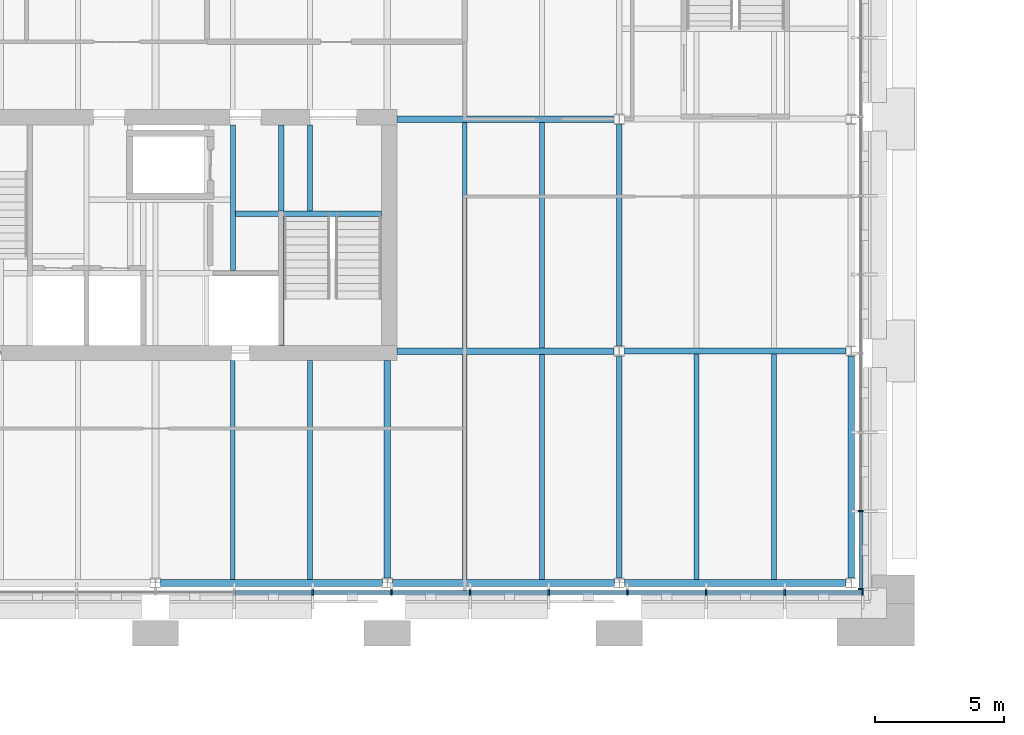
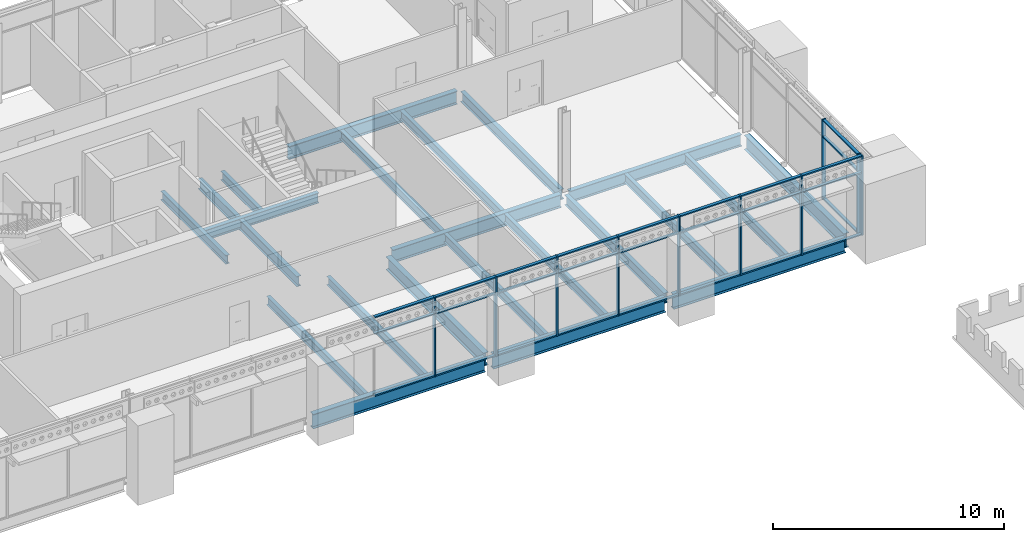
# One storey, part 36 of 153: 37 members, 23 beams, 2 elements without a shape of their own.
"""IFC4 building model written with IfcOpenShell, lengths in metres."""

import ifcopenshell
import ifcopenshell.guid

model = None  # the IFC model being written
_history = None  # IfcOwnerHistory: only IFC2X3 demands one
_inside = {}  # id of a spatial element -> (the spatial element, [elements in it])
_under = {}  # id of a project, library or spatial element -> (it, [spatial elements below it])
_declared = {}  # id of a project -> (the project, [libraries it declares])
_typed = {}  # id of a type object -> (the type object, [elements of that type])
_made_of = {}  # id of a material, layer set ... -> (it, [elements and type objects made of it])


def new_model(schema):
    """Start an empty IFC model of exactly this schema.

    Asked for "IFC4X3", IfcOpenShell would pick the latest addendum, in which some entities
    have other attributes; the version numbers below select the first issue.
    IFC2X3 requires an IfcOwnerHistory on every rooted entity: one is made here for all.
    """
    global model, _history
    if schema == "IFC4X3":
        model = ifcopenshell.file(schema_version=(4, 3, 0, 0))
    else:
        model = ifcopenshell.file(schema=schema)
    _inside.clear()
    _under.clear()
    _declared.clear()
    _typed.clear()
    _made_of.clear()
    _history = None
    if model.schema == "IFC2X3":
        org = make("IfcOrganization", Name="unknown")
        user = make(
            "IfcPersonAndOrganization",
            ThePerson=make("IfcPerson", FamilyName="unknown"),
            TheOrganization=org,
        )
        app = make(
            "IfcApplication",
            ApplicationDeveloper=org,
            Version="unknown",
            ApplicationFullName="unknown",
            ApplicationIdentifier="unknown",
        )
        _history = make(
            "IfcOwnerHistory",
            OwningUser=user,
            OwningApplication=app,
            ChangeAction="ADDED",
            CreationDate=0,
        )
    return model


def make(cls, **values):
    """One entity of the class cls with the attributes given. An attribute that is None is left unset."""
    return model.create_entity(
        cls, **{name: value for name, value in values.items() if value is not None}
    )


def rooted(cls, **values):
    """An entity with a GlobalId (a new one), such as an element, a storey or a relation."""
    return make(cls, GlobalId=ifcopenshell.guid.new(), OwnerHistory=_history, **values)


def si_unit(unit_type, name, prefix=None):
    """IfcSIUnit, for example si_unit("LENGTHUNIT", "METRE", prefix="MILLI")."""
    return make("IfcSIUnit", UnitType=unit_type, Prefix=prefix, Name=name)


def assignment(units):
    """IfcUnitAssignment: the units of a project."""
    return None if units is None else make("IfcUnitAssignment", Units=units)


def point(xyz):
    """IfcCartesianPoint."""
    return None if xyz is None else make("IfcCartesianPoint", Coordinates=xyz)


def direction(xyz):
    """IfcDirection."""
    return None if xyz is None else make("IfcDirection", DirectionRatios=xyz)


def frame(location, z_axis=None, x_axis=None):
    """IfcAxis2Placement3D, a coordinate frame: its origin and axes. An axis left out is left unset."""
    return make(
        "IfcAxis2Placement3D",
        Location=point(location),
        Axis=direction(z_axis),
        RefDirection=direction(x_axis),
    )


def frame_2d(location, x_axis=None):
    """IfcAxis2Placement2D, a coordinate frame in the plane: its origin and x axis."""
    return make(
        "IfcAxis2Placement2D", Location=point(location), RefDirection=direction(x_axis)
    )


def origin():
    """The frame at (0, 0, 0) with its axes left unset."""
    return frame((0.0, 0.0, 0.0))


def origin_2d():
    """The frame at (0, 0) in the plane with its x axis left unset."""
    return frame_2d((0.0, 0.0))


def place(relative_to, where):
    """IfcLocalPlacement: puts the frame where relative to a parent placement (None: the world)."""
    return make(
        "IfcLocalPlacement", PlacementRelTo=relative_to, RelativePlacement=where
    )


def context(
    kind, dimensions, precision=None, world=None, true_north=None, identifier=None
):
    """IfcGeometricRepresentationContext, for example the 3D "Model" context."""
    return make(
        "IfcGeometricRepresentationContext",
        ContextIdentifier=identifier,
        ContextType=kind,
        CoordinateSpaceDimension=dimensions,
        Precision=precision,
        WorldCoordinateSystem=world,
        TrueNorth=true_north,
    )


def subcontext(parent, identifier, kind, view, scale=None):
    """IfcGeometricRepresentationSubContext, for example "Body" below "Model"."""
    return make(
        "IfcGeometricRepresentationSubContext",
        ContextIdentifier=identifier,
        ContextType=kind,
        ParentContext=parent,
        TargetScale=scale,
        TargetView=view,
    )


def project(units=None, contexts=None):
    """IfcProject with its units and contexts."""
    return rooted(
        "IfcProject",
        Name="project",
        RepresentationContexts=contexts,
        UnitsInContext=assignment(units),
    )


def spatial(cls, under=None, at=None, **own):
    """A site, building, storey or space (cls), placed at a placement, below another one or the project."""
    s = rooted(cls, ObjectPlacement=at, **own)
    if under is not None:
        _under.setdefault(under.id(), (under, []))[1].append(s)
    return s


def profile(cls, at=None, kind="AREA", **sizes):
    """A parametric profile (cls). Its sizes go by their IFC names, for example OverallWidth=200.0."""
    return make(cls, ProfileType=kind, Position=at, **sizes)


def rectangle(**sizes):
    """IfcRectangleProfileDef."""
    return profile("IfcRectangleProfileDef", **sizes)


def i_section(**sizes):
    """IfcIShapeProfileDef."""
    return profile("IfcIShapeProfileDef", **sizes)


def extrude(swept, where, along, depth):
    """IfcExtrudedAreaSolid: the profile swept, set in the frame where, extruded along a direction by depth."""
    return make(
        "IfcExtrudedAreaSolid",
        SweptArea=swept,
        Position=where,
        ExtrudedDirection=direction(along),
        Depth=depth,
    )


def shape(context_of_items, identifier, shape_type, items):
    """IfcShapeRepresentation: the items that make up one representation, for example the "Body"."""
    return make(
        "IfcShapeRepresentation",
        ContextOfItems=context_of_items,
        RepresentationIdentifier=identifier,
        RepresentationType=shape_type,
        Items=items,
    )


def material(Name=None, Category=None):
    """IfcMaterial."""
    return make("IfcMaterial", Name=Name, Category=Category)


def material_profile(
    of_material, cross_section, Name=None, Category=None, Priority=None
):
    """IfcMaterialProfile: a cross section and its material."""
    return make(
        "IfcMaterialProfile",
        Name=Name,
        Material=of_material,
        Profile=cross_section,
        Priority=Priority,
        Category=Category,
    )


def profile_set(profiles, Name=None, composite=None):
    """IfcMaterialProfileSet."""
    return make(
        "IfcMaterialProfileSet",
        Name=Name,
        MaterialProfiles=profiles,
        CompositeProfile=composite,
    )


def made_of(thing, what):
    """Note that an element or type object is made of a material, layer set ...; save() writes the relation."""
    if what is not None:
        _made_of.setdefault(what.id(), (what, []))[1].append(thing)
    return thing


def type_object(cls, material=None, **own):
    """A type object (cls), such as IfcWallType, which elements share."""
    return made_of(rooted(cls, **own), material)


def element(
    cls,
    number,
    at=None,
    inside=None,
    cuts=None,
    type_object=None,
    material=None,
    context=None,
    identifier="Body",
    shape_type=None,
    held_by="IfcProductDefinitionShape",
    body=None,
    shapes=None,
    **own,
):
    """One element of the class cls, such as IfcWall. Its Tag is "e" and its number.

    at: its placement. inside: the storey or other place that contains it. cuts: it is an
    opening in that element (IfcRelVoidsElement). A single representation is given by context,
    identifier, shape_type and body (its items); several are given by shapes. held_by: the class
    of the entity that holds the representations. save() writes the other relations.
    """
    e = rooted(cls, Tag="e%d" % number, ObjectPlacement=at, **own)
    if body is not None:
        shapes = [shape(context, identifier, shape_type, body)]
    if shapes is not None:
        e.Representation = make(held_by, Representations=shapes)
    if inside is not None:
        _inside.setdefault(inside.id(), (inside, []))[1].append(e)
    if cuts is not None:
        rooted(
            "IfcRelVoidsElement", RelatingBuildingElement=cuts, RelatedOpeningElement=e
        )
    if type_object is not None:
        _typed.setdefault(type_object.id(), (type_object, []))[1].append(e)
    return made_of(e, material)


def aggregate(whole, parts):
    """IfcRelAggregates: a whole, such as a stair, and the parts it consists of."""
    return rooted("IfcRelAggregates", RelatingObject=whole, RelatedObjects=parts)


def save(model, path):
    """Write the relations noted so far, then the file.

    IfcRelAggregates (storeys below a building ...), IfcRelContainedInSpatialStructure (elements
    in a storey), IfcRelDefinesByType, IfcRelAssociatesMaterial and IfcRelDeclares: one each for
    every whole, place, type object, material and project.
    """
    for whole, parts in _under.values():
        aggregate(whole, parts)
    for where, things in _inside.values():
        rooted(
            "IfcRelContainedInSpatialStructure",
            RelatedElements=things,
            RelatingStructure=where,
        )
    for kind, things in _typed.values():
        rooted("IfcRelDefinesByType", RelatedObjects=things, RelatingType=kind)
    for what, things in _made_of.values():
        rooted("IfcRelAssociatesMaterial", RelatedObjects=things, RelatingMaterial=what)
    for by, libraries in _declared.values():
        rooted("IfcRelDeclares", RelatingContext=by, RelatedDefinitions=libraries)
    model.write(path)


model = new_model("IFC4")

# Units and contexts
model_context = context("Model", 3, precision=1e-05, world=origin(), true_north=direction((0.0, 1.0)))
body_context = subcontext(model_context, "Body", "Model", "MODEL_VIEW")
ifc_project = project(units=[si_unit("LENGTHUNIT", "METRE"), si_unit("AREAUNIT", "SQUARE_METRE"), si_unit("VOLUMEUNIT", "CUBIC_METRE"), si_unit("PLANEANGLEUNIT", "RADIAN"), si_unit("MASSUNIT", "GRAM", prefix="KILO")], contexts=[model_context])

# Site, building, storey
site_placement = place(None, origin())
site = spatial("IfcSite", under=ifc_project, at=site_placement, CompositionType="ELEMENT")
building_placement = place(site_placement, origin())
building = spatial("IfcBuilding", under=site, at=building_placement, Name="Baradari Gate Terminus", CompositionType="ELEMENT")
storey_placement = place(building_placement, frame((0.0, 0.0, 11.699951171875)))
storey = spatial("IfcBuildingStorey", under=building, at=storey_placement, Name="L02", CompositionType="ELEMENT", Elevation=11.699951171875)

# Beams
ifc_material_1 = material(Name="Steel S355", Category="steel")
ifc_material_profile_1 = material_profile(ifc_material_1, i_section(OverallWidth=0.19140625, OverallDepth=0.4599609375, WebThickness=0.010009765625, FlangeThickness=0.01611328125, FilletRadius=0.01025390625, at=origin_2d()), Name="UB 457x191x82")
ifc_profile_set_1 = profile_set([ifc_material_profile_1], Name="Steel S355")
beam_type_1 = type_object("IfcBeamType", Name="Core floor beam B23 UB 457x191x82", PredefinedType="BEAM", material=ifc_profile_set_1)
beam_1_placement = place(storey_placement, frame((39.0, 129.129638671875, -0.35986328125), z_axis=(0.0, 1.0, 0.0), x_axis=(-1.0, 0.0, 0.0)))
element("IfcBeam", 1, at=beam_1_placement, inside=storey, type_object=beam_type_1, Name="Core floor beam B23 39:129.13-134.775 L02", PredefinedType="BEAM", context=body_context, shape_type="SweptSolid", body=[
    extrude(i_section(OverallWidth=0.19140625, OverallDepth=0.4599609375, WebThickness=0.010009765625, FlangeThickness=0.01611328125, FilletRadius=0.01025390625, at=origin_2d()), origin(), (0.0, 0.0, 1.0), 5.645263671875),
])
beam_2_placement = place(storey_placement, frame((42.0, 131.4296875, -0.35986328125), z_axis=(0.0, 1.0, 0.0), x_axis=(-1.0, 0.0, 0.0)))
element("IfcBeam", 2, at=beam_2_placement, inside=storey, type_object=beam_type_1, Name="Core floor beam B23 42:131.43-134.775 L02", PredefinedType="BEAM", context=body_context, shape_type="SweptSolid", body=[
    extrude(i_section(OverallWidth=0.19140625, OverallDepth=0.4599609375, WebThickness=0.010009765625, FlangeThickness=0.01611328125, FilletRadius=0.01025390625, at=origin_2d()), origin(), (0.0, 0.0, 1.0), 3.34521484375),
])
ifc_material_2 = material(Name="Steel S355", Category="steel")
ifc_material_profile_2 = material_profile(ifc_material_2, i_section(OverallWidth=0.209228515625, OverallDepth=0.533203125, WebThickness=0.010009765625, FlangeThickness=0.015625, FilletRadius=0.0126953125, at=origin_2d()), Name="UB 533x210x92")
ifc_profile_set_2 = profile_set([ifc_material_profile_2], Name="Steel S355")
beam_type_2 = type_object("IfcBeamType", Name="Core floor trimmer beam B22 UB 533x210x92", PredefinedType="BEAM", material=ifc_profile_set_2)
beam_3_placement = place(storey_placement, frame((39.095703125, 131.324951171875, -0.396484375), z_axis=(1.0, 0.0, 0.0), x_axis=(0.0, 1.0, 0.0)))
element("IfcBeam", 3, at=beam_3_placement, inside=storey, type_object=beam_type_2, Name="Core floor trimmer beam B22 131.325:39.096-44.775 L02", PredefinedType="BEAM", context=body_context, shape_type="SweptSolid", body=[
    extrude(i_section(OverallWidth=0.209228515625, OverallDepth=0.533203125, WebThickness=0.010009765625, FlangeThickness=0.015625, FilletRadius=0.0126953125, at=origin_2d()), origin(), (0.0, 0.0, 1.0), 5.67919921875),
])
beam_4_placement = place(storey_placement, frame((40.875, 126.22509765625, -0.396484375), z_axis=(0.0, 1.0, 0.0), x_axis=(-1.0, 0.0, 0.0)))
element("IfcBeam", 4, at=beam_4_placement, inside=storey, type_object=beam_type_2, Name="Core floor trimmer beam B22 40.875:126.225-131.22 L02", PredefinedType="BEAM", context=body_context, shape_type="SweptSolid", body=[
    extrude(i_section(OverallWidth=0.209228515625, OverallDepth=0.533203125, WebThickness=0.010009765625, FlangeThickness=0.015625, FilletRadius=0.0126953125, at=origin_2d()), origin(), (0.0, 0.0, 1.0), 4.9951171875),
])
beam_5_placement = place(storey_placement, frame((40.875, 131.4296875, -0.396484375), z_axis=(0.0, 1.0, 0.0), x_axis=(-1.0, 0.0, 0.0)))
element("IfcBeam", 5, at=beam_5_placement, inside=storey, type_object=beam_type_2, Name="Core floor trimmer beam B22 40.875:131.43-134.775 L02", PredefinedType="BEAM", context=body_context, shape_type="SweptSolid", body=[
    extrude(i_section(OverallWidth=0.209228515625, OverallDepth=0.533203125, WebThickness=0.010009765625, FlangeThickness=0.015625, FilletRadius=0.0126953125, at=origin_2d()), origin(), (0.0, 0.0, 1.0), 3.34521484375),
])

# Curtain wall, members
ifc_material_3 = material(Name="Aluminium 6063-T6", Category="aluminium")
curtain_wall_type = type_object("IfcCurtainWallType", Name="Curtain wall CW-1 block unitised, zone L02-L05", PredefinedType="NOTDEFINED", material=ifc_material_3)
curtain_wall_1_placement = place(storey_placement, origin())
curtain_wall_1 = element("IfcCurtainWall", 6, at=curtain_wall_1_placement, inside=storey, type_object=curtain_wall_type, Name="Curtain wall CW-1 Operations block S face L02", PredefinedType="NOTDEFINED")
ifc_material_4 = material(Name="Aluminium 6063-T6", Category="aluminium")
ifc_material_profile_3 = material_profile(ifc_material_4, rectangle(XDim=0.199951171875, YDim=0.06494140625, at=origin_2d()), Name="CM-1 65X200")
ifc_profile_set_3 = profile_set([ifc_material_profile_3], Name="Aluminium 6063-T6")
member_type_1 = type_object("IfcMemberType", Name="Curtain wall mullion CM-1 65x200", PredefinedType="MULLION", material=ifc_profile_set_3)
member_1_placement = place(storey_placement, frame((42.1044921875, 116.6298828125, 0.0), z_axis=(0.0, 0.0, 1.0), x_axis=(0.0, 1.0, 0.0)))
member_1 = element("IfcMember", 7, at=member_1_placement, type_object=member_type_1, Name="CW-1 mullion 12", PredefinedType="MULLION", context=body_context, shape_type="SweptSolid", body=[
    extrude(rectangle(XDim=0.199951171875, YDim=0.06494140625, at=origin_2d()), origin(), (0.0, 0.0, 1.0), 4.199951171875),
])
member_2_placement = place(storey_placement, frame((45.15673828125, 116.6298828125, 0.0), z_axis=(0.0, 0.0, 1.0), x_axis=(0.0, 1.0, 0.0)))
member_2 = element("IfcMember", 8, at=member_2_placement, type_object=member_type_1, Name="CW-1 mullion 13", PredefinedType="MULLION", context=body_context, shape_type="SweptSolid", body=[
    extrude(rectangle(XDim=0.199951171875, YDim=0.06494140625, at=origin_2d()), origin(), (0.0, 0.0, 1.0), 4.199951171875),
])
member_3_placement = place(storey_placement, frame((48.208984375, 116.6298828125, 0.0), z_axis=(0.0, 0.0, 1.0), x_axis=(0.0, 1.0, 0.0)))
member_3 = element("IfcMember", 9, at=member_3_placement, type_object=member_type_1, Name="CW-1 mullion 14", PredefinedType="MULLION", context=body_context, shape_type="SweptSolid", body=[
    extrude(rectangle(XDim=0.199951171875, YDim=0.06494140625, at=origin_2d()), origin(), (0.0, 0.0, 1.0), 4.199951171875),
])
member_4_placement = place(storey_placement, frame((51.26123046875, 116.6298828125, 0.0), z_axis=(0.0, 0.0, 1.0), x_axis=(0.0, 1.0, 0.0)))
member_4 = element("IfcMember", 10, at=member_4_placement, type_object=member_type_1, Name="CW-1 mullion 15", PredefinedType="MULLION", context=body_context, shape_type="SweptSolid", body=[
    extrude(rectangle(XDim=0.199951171875, YDim=0.06494140625, at=origin_2d()), origin(), (0.0, 0.0, 1.0), 4.199951171875),
])
member_5_placement = place(storey_placement, frame((54.313232421875, 116.6298828125, 0.0), z_axis=(0.0, 0.0, 1.0), x_axis=(0.0, 1.0, 0.0)))
member_5 = element("IfcMember", 11, at=member_5_placement, type_object=member_type_1, Name="CW-1 mullion 16", PredefinedType="MULLION", context=body_context, shape_type="SweptSolid", body=[
    extrude(rectangle(XDim=0.199951171875, YDim=0.06494140625, at=origin_2d()), origin(), (0.0, 0.0, 1.0), 4.199951171875),
])
member_6_placement = place(storey_placement, frame((57.365478515625, 116.6298828125, 0.0), z_axis=(0.0, 0.0, 1.0), x_axis=(0.0, 1.0, 0.0)))
member_6 = element("IfcMember", 12, at=member_6_placement, type_object=member_type_1, Name="CW-1 mullion 17", PredefinedType="MULLION", context=body_context, shape_type="SweptSolid", body=[
    extrude(rectangle(XDim=0.199951171875, YDim=0.06494140625, at=origin_2d()), origin(), (0.0, 0.0, 1.0), 4.199951171875),
])
member_7_placement = place(storey_placement, frame((60.417724609375, 116.6298828125, 0.0), z_axis=(0.0, 0.0, 1.0), x_axis=(0.0, 1.0, 0.0)))
member_7 = element("IfcMember", 13, at=member_7_placement, type_object=member_type_1, Name="CW-1 mullion 18", PredefinedType="MULLION", context=body_context, shape_type="SweptSolid", body=[
    extrude(rectangle(XDim=0.199951171875, YDim=0.06494140625, at=origin_2d()), origin(), (0.0, 0.0, 1.0), 4.199951171875),
])
member_8_placement = place(storey_placement, frame((63.4375, 116.6298828125, 0.0), z_axis=(0.0, 0.0, 1.0), x_axis=(0.0, 1.0, 0.0)))
member_8 = element("IfcMember", 14, at=member_8_placement, type_object=member_type_1, Name="CW-1 mullion 19", PredefinedType="MULLION", context=body_context, shape_type="SweptSolid", body=[
    extrude(rectangle(XDim=0.199951171875, YDim=0.06494140625, at=origin_2d()), origin(), (0.0, 0.0, 1.0), 4.199951171875),
])

curtain_wall_2_placement = place(storey_placement, origin())
curtain_wall_2 = element("IfcCurtainWall", 15, at=curtain_wall_2_placement, inside=storey, type_object=curtain_wall_type, Name="Curtain wall CW-1 Operations block E face L02", PredefinedType="NOTDEFINED")
member_9_placement = place(storey_placement, frame((63.3701171875, 116.762451171875, 0.0), z_axis=(0.0, 0.0, 1.0), x_axis=(-1.0, 0.0, 0.0)))
member_9 = element("IfcMember", 16, at=member_9_placement, type_object=member_type_1, Name="CW-1 mullion 1", PredefinedType="MULLION", context=body_context, shape_type="SweptSolid", body=[
    extrude(rectangle(XDim=0.199951171875, YDim=0.06494140625, at=origin_2d()), origin(), (0.0, 0.0, 1.0), 4.199951171875),
])
member_10_placement = place(storey_placement, frame((63.3701171875, 119.7900390625, 0.0), z_axis=(0.0, 0.0, 1.0), x_axis=(-1.0, 0.0, 0.0)))
member_10 = element("IfcMember", 17, at=member_10_placement, type_object=member_type_1, Name="CW-1 mullion 2", PredefinedType="MULLION", context=body_context, shape_type="SweptSolid", body=[
    extrude(rectangle(XDim=0.199951171875, YDim=0.06494140625, at=origin_2d()), origin(), (0.0, 0.0, 1.0), 4.199951171875),
])

# Member
ifc_material_5 = material(Name="Aluminium 6063-T6", Category="aluminium")
ifc_material_profile_4 = material_profile(ifc_material_5, rectangle(XDim=0.14990234375, YDim=0.06494140625, at=origin_2d()), Name="CT-1 65X150")
ifc_profile_set_4 = profile_set([ifc_material_profile_4], Name="Aluminium 6063-T6")
member_type_2 = type_object("IfcMemberType", Name="Curtain wall transom CT-1 65x150", PredefinedType="USERDEFINED", material=ifc_profile_set_4)
member_11_placement = place(storey_placement, frame((39.084716796875, 116.6298828125, 0.032470703125), z_axis=(1.0, 0.0, 0.0), x_axis=(0.0, 1.0, 0.0)))
member_11 = element("IfcMember", 18, at=member_11_placement, type_object=member_type_2, Name="CW-1 transom 11.1", ObjectType="TRANSOM", PredefinedType="USERDEFINED", context=body_context, shape_type="SweptSolid", body=[
    extrude(rectangle(XDim=0.14990234375, YDim=0.06494140625, at=origin_2d()), origin(), (0.0, 0.0, 1.0), 2.9873046875),
])

member_12_placement = place(storey_placement, frame((39.084716796875, 116.6298828125, 3.300048828125), z_axis=(1.0, 0.0, 0.0), x_axis=(0.0, 1.0, 0.0)))
member_12 = element("IfcMember", 19, at=member_12_placement, type_object=member_type_2, Name="CW-1 transom 11.2", ObjectType="TRANSOM", PredefinedType="USERDEFINED", context=body_context, shape_type="SweptSolid", body=[
    extrude(rectangle(XDim=0.14990234375, YDim=0.06494140625, at=origin_2d()), origin(), (0.0, 0.0, 1.0), 2.9873046875),
])

member_13_placement = place(storey_placement, frame((39.084716796875, 116.6298828125, 4.16748046875), z_axis=(1.0, 0.0, 0.0), x_axis=(0.0, 1.0, 0.0)))
member_13 = element("IfcMember", 20, at=member_13_placement, type_object=member_type_2, Name="CW-1 transom 11.3", ObjectType="TRANSOM", PredefinedType="USERDEFINED", context=body_context, shape_type="SweptSolid", body=[
    extrude(rectangle(XDim=0.14990234375, YDim=0.06494140625, at=origin_2d()), origin(), (0.0, 0.0, 1.0), 2.9873046875),
])

member_14_placement = place(storey_placement, frame((42.136962890625, 116.6298828125, 0.032470703125), z_axis=(1.0, 0.0, 0.0), x_axis=(0.0, 1.0, 0.0)))
member_14 = element("IfcMember", 21, at=member_14_placement, type_object=member_type_2, Name="CW-1 transom 12.1", ObjectType="TRANSOM", PredefinedType="USERDEFINED", context=body_context, shape_type="SweptSolid", body=[
    extrude(rectangle(XDim=0.14990234375, YDim=0.06494140625, at=origin_2d()), origin(), (0.0, 0.0, 1.0), 2.9873046875),
])

member_15_placement = place(storey_placement, frame((42.136962890625, 116.6298828125, 3.300048828125), z_axis=(1.0, 0.0, 0.0), x_axis=(0.0, 1.0, 0.0)))
member_15 = element("IfcMember", 22, at=member_15_placement, type_object=member_type_2, Name="CW-1 transom 12.2", ObjectType="TRANSOM", PredefinedType="USERDEFINED", context=body_context, shape_type="SweptSolid", body=[
    extrude(rectangle(XDim=0.14990234375, YDim=0.06494140625, at=origin_2d()), origin(), (0.0, 0.0, 1.0), 2.9873046875),
])

member_16_placement = place(storey_placement, frame((42.136962890625, 116.6298828125, 4.16748046875), z_axis=(1.0, 0.0, 0.0), x_axis=(0.0, 1.0, 0.0)))
member_16 = element("IfcMember", 23, at=member_16_placement, type_object=member_type_2, Name="CW-1 transom 12.3", ObjectType="TRANSOM", PredefinedType="USERDEFINED", context=body_context, shape_type="SweptSolid", body=[
    extrude(rectangle(XDim=0.14990234375, YDim=0.06494140625, at=origin_2d()), origin(), (0.0, 0.0, 1.0), 2.9873046875),
])

member_17_placement = place(storey_placement, frame((45.189208984375, 116.6298828125, 0.032470703125), z_axis=(1.0, 0.0, 0.0), x_axis=(0.0, 1.0, 0.0)))
member_17 = element("IfcMember", 24, at=member_17_placement, type_object=member_type_2, Name="CW-1 transom 13.1", ObjectType="TRANSOM", PredefinedType="USERDEFINED", context=body_context, shape_type="SweptSolid", body=[
    extrude(rectangle(XDim=0.14990234375, YDim=0.06494140625, at=origin_2d()), origin(), (0.0, 0.0, 1.0), 2.987060546875),
])

member_18_placement = place(storey_placement, frame((45.189208984375, 116.6298828125, 3.300048828125), z_axis=(1.0, 0.0, 0.0), x_axis=(0.0, 1.0, 0.0)))
member_18 = element("IfcMember", 25, at=member_18_placement, type_object=member_type_2, Name="CW-1 transom 13.2", ObjectType="TRANSOM", PredefinedType="USERDEFINED", context=body_context, shape_type="SweptSolid", body=[
    extrude(rectangle(XDim=0.14990234375, YDim=0.06494140625, at=origin_2d()), origin(), (0.0, 0.0, 1.0), 2.987060546875),
])

member_19_placement = place(storey_placement, frame((45.189208984375, 116.6298828125, 4.16748046875), z_axis=(1.0, 0.0, 0.0), x_axis=(0.0, 1.0, 0.0)))
member_19 = element("IfcMember", 26, at=member_19_placement, type_object=member_type_2, Name="CW-1 transom 13.3", ObjectType="TRANSOM", PredefinedType="USERDEFINED", context=body_context, shape_type="SweptSolid", body=[
    extrude(rectangle(XDim=0.14990234375, YDim=0.06494140625, at=origin_2d()), origin(), (0.0, 0.0, 1.0), 2.987060546875),
])

member_20_placement = place(storey_placement, frame((48.241455078125, 116.6298828125, 0.032470703125), z_axis=(1.0, 0.0, 0.0), x_axis=(0.0, 1.0, 0.0)))
member_20 = element("IfcMember", 27, at=member_20_placement, type_object=member_type_2, Name="CW-1 transom 14.1", ObjectType="TRANSOM", PredefinedType="USERDEFINED", context=body_context, shape_type="SweptSolid", body=[
    extrude(rectangle(XDim=0.14990234375, YDim=0.06494140625, at=origin_2d()), origin(), (0.0, 0.0, 1.0), 2.987060546875),
])

member_21_placement = place(storey_placement, frame((48.241455078125, 116.6298828125, 3.300048828125), z_axis=(1.0, 0.0, 0.0), x_axis=(0.0, 1.0, 0.0)))
member_21 = element("IfcMember", 28, at=member_21_placement, type_object=member_type_2, Name="CW-1 transom 14.2", ObjectType="TRANSOM", PredefinedType="USERDEFINED", context=body_context, shape_type="SweptSolid", body=[
    extrude(rectangle(XDim=0.14990234375, YDim=0.06494140625, at=origin_2d()), origin(), (0.0, 0.0, 1.0), 2.987060546875),
])

member_22_placement = place(storey_placement, frame((48.241455078125, 116.6298828125, 4.16748046875), z_axis=(1.0, 0.0, 0.0), x_axis=(0.0, 1.0, 0.0)))
member_22 = element("IfcMember", 29, at=member_22_placement, type_object=member_type_2, Name="CW-1 transom 14.3", ObjectType="TRANSOM", PredefinedType="USERDEFINED", context=body_context, shape_type="SweptSolid", body=[
    extrude(rectangle(XDim=0.14990234375, YDim=0.06494140625, at=origin_2d()), origin(), (0.0, 0.0, 1.0), 2.987060546875),
])

member_23_placement = place(storey_placement, frame((51.293701171875, 116.6298828125, 0.032470703125), z_axis=(1.0, 0.0, 0.0), x_axis=(0.0, 1.0, 0.0)))
member_23 = element("IfcMember", 30, at=member_23_placement, type_object=member_type_2, Name="CW-1 transom 15.1", ObjectType="TRANSOM", PredefinedType="USERDEFINED", context=body_context, shape_type="SweptSolid", body=[
    extrude(rectangle(XDim=0.14990234375, YDim=0.06494140625, at=origin_2d()), origin(), (0.0, 0.0, 1.0), 2.987060546875),
])

member_24_placement = place(storey_placement, frame((51.293701171875, 116.6298828125, 3.300048828125), z_axis=(1.0, 0.0, 0.0), x_axis=(0.0, 1.0, 0.0)))
member_24 = element("IfcMember", 31, at=member_24_placement, type_object=member_type_2, Name="CW-1 transom 15.2", ObjectType="TRANSOM", PredefinedType="USERDEFINED", context=body_context, shape_type="SweptSolid", body=[
    extrude(rectangle(XDim=0.14990234375, YDim=0.06494140625, at=origin_2d()), origin(), (0.0, 0.0, 1.0), 2.987060546875),
])

member_25_placement = place(storey_placement, frame((51.293701171875, 116.6298828125, 4.16748046875), z_axis=(1.0, 0.0, 0.0), x_axis=(0.0, 1.0, 0.0)))
member_25 = element("IfcMember", 32, at=member_25_placement, type_object=member_type_2, Name="CW-1 transom 15.3", ObjectType="TRANSOM", PredefinedType="USERDEFINED", context=body_context, shape_type="SweptSolid", body=[
    extrude(rectangle(XDim=0.14990234375, YDim=0.06494140625, at=origin_2d()), origin(), (0.0, 0.0, 1.0), 2.987060546875),
])

member_26_placement = place(storey_placement, frame((54.345947265625, 116.6298828125, 0.032470703125), z_axis=(1.0, 0.0, 0.0), x_axis=(0.0, 1.0, 0.0)))
member_26 = element("IfcMember", 33, at=member_26_placement, type_object=member_type_2, Name="CW-1 transom 16.1", ObjectType="TRANSOM", PredefinedType="USERDEFINED", context=body_context, shape_type="SweptSolid", body=[
    extrude(rectangle(XDim=0.14990234375, YDim=0.06494140625, at=origin_2d()), origin(), (0.0, 0.0, 1.0), 2.987060546875),
])

member_27_placement = place(storey_placement, frame((54.345947265625, 116.6298828125, 3.300048828125), z_axis=(1.0, 0.0, 0.0), x_axis=(0.0, 1.0, 0.0)))
member_27 = element("IfcMember", 34, at=member_27_placement, type_object=member_type_2, Name="CW-1 transom 16.2", ObjectType="TRANSOM", PredefinedType="USERDEFINED", context=body_context, shape_type="SweptSolid", body=[
    extrude(rectangle(XDim=0.14990234375, YDim=0.06494140625, at=origin_2d()), origin(), (0.0, 0.0, 1.0), 2.987060546875),
])

member_28_placement = place(storey_placement, frame((54.345947265625, 116.6298828125, 4.16748046875), z_axis=(1.0, 0.0, 0.0), x_axis=(0.0, 1.0, 0.0)))
member_28 = element("IfcMember", 35, at=member_28_placement, type_object=member_type_2, Name="CW-1 transom 16.3", ObjectType="TRANSOM", PredefinedType="USERDEFINED", context=body_context, shape_type="SweptSolid", body=[
    extrude(rectangle(XDim=0.14990234375, YDim=0.06494140625, at=origin_2d()), origin(), (0.0, 0.0, 1.0), 2.987060546875),
])

member_29_placement = place(storey_placement, frame((57.39794921875, 116.6298828125, 0.032470703125), z_axis=(1.0, 0.0, 0.0), x_axis=(0.0, 1.0, 0.0)))
member_29 = element("IfcMember", 36, at=member_29_placement, type_object=member_type_2, Name="CW-1 transom 17.1", ObjectType="TRANSOM", PredefinedType="USERDEFINED", context=body_context, shape_type="SweptSolid", body=[
    extrude(rectangle(XDim=0.14990234375, YDim=0.06494140625, at=origin_2d()), origin(), (0.0, 0.0, 1.0), 2.9873046875),
])

member_30_placement = place(storey_placement, frame((57.39794921875, 116.6298828125, 3.300048828125), z_axis=(1.0, 0.0, 0.0), x_axis=(0.0, 1.0, 0.0)))
member_30 = element("IfcMember", 37, at=member_30_placement, type_object=member_type_2, Name="CW-1 transom 17.2", ObjectType="TRANSOM", PredefinedType="USERDEFINED", context=body_context, shape_type="SweptSolid", body=[
    extrude(rectangle(XDim=0.14990234375, YDim=0.06494140625, at=origin_2d()), origin(), (0.0, 0.0, 1.0), 2.9873046875),
])

member_31_placement = place(storey_placement, frame((57.39794921875, 116.6298828125, 4.16748046875), z_axis=(1.0, 0.0, 0.0), x_axis=(0.0, 1.0, 0.0)))
member_31 = element("IfcMember", 38, at=member_31_placement, type_object=member_type_2, Name="CW-1 transom 17.3", ObjectType="TRANSOM", PredefinedType="USERDEFINED", context=body_context, shape_type="SweptSolid", body=[
    extrude(rectangle(XDim=0.14990234375, YDim=0.06494140625, at=origin_2d()), origin(), (0.0, 0.0, 1.0), 2.9873046875),
])

member_32_placement = place(storey_placement, frame((60.4501953125, 116.6298828125, 0.032470703125), z_axis=(1.0, 0.0, 0.0), x_axis=(0.0, 1.0, 0.0)))
member_32 = element("IfcMember", 39, at=member_32_placement, type_object=member_type_2, Name="CW-1 transom 18.1", ObjectType="TRANSOM", PredefinedType="USERDEFINED", context=body_context, shape_type="SweptSolid", body=[
    extrude(rectangle(XDim=0.14990234375, YDim=0.06494140625, at=origin_2d()), origin(), (0.0, 0.0, 1.0), 2.954833984375),
])

member_33_placement = place(storey_placement, frame((60.4501953125, 116.6298828125, 3.300048828125), z_axis=(1.0, 0.0, 0.0), x_axis=(0.0, 1.0, 0.0)))
member_33 = element("IfcMember", 40, at=member_33_placement, type_object=member_type_2, Name="CW-1 transom 18.2", ObjectType="TRANSOM", PredefinedType="USERDEFINED", context=body_context, shape_type="SweptSolid", body=[
    extrude(rectangle(XDim=0.14990234375, YDim=0.06494140625, at=origin_2d()), origin(), (0.0, 0.0, 1.0), 2.954833984375),
])

member_34_placement = place(storey_placement, frame((60.4501953125, 116.6298828125, 4.16748046875), z_axis=(1.0, 0.0, 0.0), x_axis=(0.0, 1.0, 0.0)))
member_34 = element("IfcMember", 41, at=member_34_placement, type_object=member_type_2, Name="CW-1 transom 18.3", ObjectType="TRANSOM", PredefinedType="USERDEFINED", context=body_context, shape_type="SweptSolid", body=[
    extrude(rectangle(XDim=0.14990234375, YDim=0.06494140625, at=origin_2d()), origin(), (0.0, 0.0, 1.0), 2.954833984375),
])

aggregate(curtain_wall_1, [member_1, member_2, member_3, member_4, member_5, member_6, member_7, member_8, member_11, member_12, member_13, member_14, member_15, member_16, member_17, member_18, member_19, member_20, member_21, member_22, member_23, member_24, member_25, member_26, member_27, member_28, member_29, member_30, member_31, member_32, member_33, member_34])

member_35_placement = place(storey_placement, frame((63.3701171875, 116.794921875, 0.032470703125), z_axis=(0.0, 1.0, 0.0), x_axis=(-1.0, 0.0, 0.0)))
member_35 = element("IfcMember", 42, at=member_35_placement, type_object=member_type_2, Name="CW-1 transom 1.1", ObjectType="TRANSOM", PredefinedType="USERDEFINED", context=body_context, shape_type="SweptSolid", body=[
    extrude(rectangle(XDim=0.14990234375, YDim=0.06494140625, at=origin_2d()), origin(), (0.0, 0.0, 1.0), 2.962646484375),
])

member_36_placement = place(storey_placement, frame((63.3701171875, 116.794921875, 3.300048828125), z_axis=(0.0, 1.0, 0.0), x_axis=(-1.0, 0.0, 0.0)))
member_36 = element("IfcMember", 43, at=member_36_placement, type_object=member_type_2, Name="CW-1 transom 1.2", ObjectType="TRANSOM", PredefinedType="USERDEFINED", context=body_context, shape_type="SweptSolid", body=[
    extrude(rectangle(XDim=0.14990234375, YDim=0.06494140625, at=origin_2d()), origin(), (0.0, 0.0, 1.0), 2.962646484375),
])

member_37_placement = place(storey_placement, frame((63.3701171875, 116.794921875, 4.16748046875), z_axis=(0.0, 1.0, 0.0), x_axis=(-1.0, 0.0, 0.0)))
member_37 = element("IfcMember", 44, at=member_37_placement, type_object=member_type_2, Name="CW-1 transom 1.3", ObjectType="TRANSOM", PredefinedType="USERDEFINED", context=body_context, shape_type="SweptSolid", body=[
    extrude(rectangle(XDim=0.14990234375, YDim=0.06494140625, at=origin_2d()), origin(), (0.0, 0.0, 1.0), 2.962646484375),
])

aggregate(curtain_wall_2, [member_9, member_10, member_35, member_36, member_37])

# Beams
ifc_material_6 = material(Name="Steel S355", Category="steel")
ifc_material_profile_5 = material_profile(ifc_material_6, i_section(OverallWidth=0.25439453125, OverallDepth=0.6875, WebThickness=0.01318359375, FlangeThickness=0.02099609375, FilletRadius=0.01513671875, at=origin_2d()), Name="UB 686x254x152")
ifc_profile_set_5 = profile_set([ifc_material_profile_5], Name="Steel S355")
beam_type_3 = type_object("IfcBeamType", Name="Operations block coupling beam B26 UB 686x254x152", PredefinedType="BEAM", material=ifc_profile_set_5)
for number, where, z_axis, x_axis, name in (
    (45, (45.375, 126.0, -0.4736328125), (1.0, 0.0, 0.0), (0.0, 1.0, 0.0), "Operations block coupling beam B26 Q:45.375-53.798 L02"),
    (46, (45.375, 135.0, -0.4736328125), (1.0, 0.0, 0.0), (0.0, 1.0, 0.0), "Operations block coupling beam B26 R:45.375-53.798 L02"),
):
    element("IfcBeam", number, at=place(storey_placement, frame(where, z_axis=z_axis, x_axis=x_axis)), inside=storey, type_object=beam_type_3, Name=name, PredefinedType="BEAM", context=body_context, shape_type="SweptSolid", body=[
        extrude(i_section(OverallWidth=0.25439453125, OverallDepth=0.6875, WebThickness=0.01318359375, FlangeThickness=0.02099609375, FilletRadius=0.01513671875, at=origin_2d()), origin(), (0.0, 0.0, 1.0), 8.423583984375),
    ])
beam_6_placement = place(storey_placement, frame((45.0, 117.1904296875, -0.4736328125), z_axis=(0.0, 1.0, 0.0), x_axis=(-1.0, 0.0, 0.0)))
element("IfcBeam", 47, at=beam_6_placement, inside=storey, type_object=beam_type_3, Name="Operations block coupling beam B26 6:117.191-125.625 L02", PredefinedType="BEAM", context=body_context, shape_type="SweptSolid", body=[
    extrude(i_section(OverallWidth=0.25439453125, OverallDepth=0.6875, WebThickness=0.01318359375, FlangeThickness=0.02099609375, FilletRadius=0.01513671875, at=origin_2d()), origin(), (0.0, 0.0, 1.0), 8.4345703125),
])
ifc_material_7 = material(Name="Steel S355", Category="steel")
ifc_material_profile_6 = material_profile(ifc_material_7, i_section(OverallWidth=0.22900390625, OverallDepth=0.6123046875, WebThickness=0.011962890625, FlangeThickness=0.01953125, FilletRadius=0.0126953125, at=origin_2d()), Name="UB 610x229x125")
ifc_profile_set_6 = profile_set([ifc_material_profile_6], Name="Steel S355")
beam_type_4 = type_object("IfcBeamType", Name="Operations block girder B25 UB 610x229x125", PredefinedType="BEAM", material=ifc_profile_set_6)
beam_7_placement = place(storey_placement, frame((54.201416015625, 126.0, -0.43603515625), z_axis=(1.0, 0.0, 0.0), x_axis=(0.0, 1.0, 0.0)))
element("IfcBeam", 48, at=beam_7_placement, inside=storey, type_object=beam_type_4, Name="Operations block girder B25 Q:54.202-62.803 L02", PredefinedType="BEAM", context=body_context, shape_type="SweptSolid", body=[
    extrude(i_section(OverallWidth=0.22900390625, OverallDepth=0.6123046875, WebThickness=0.011962890625, FlangeThickness=0.01953125, FilletRadius=0.0126953125, at=origin_2d()), origin(), (0.0, 0.0, 1.0), 8.60107421875),
])
ifc_material_8 = material(Name="Steel S355", Category="steel")
ifc_material_profile_7 = material_profile(ifc_material_8, i_section(OverallWidth=0.210693359375, OverallDepth=0.53955078125, WebThickness=0.01171875, FlangeThickness=0.018798828125, FilletRadius=0.0126953125, at=origin_2d()), Name="UB 533x210x109")
ifc_profile_set_7 = profile_set([ifc_material_profile_7], Name="Steel S355")
beam_type_5 = type_object("IfcBeamType", Name="Operations block girder B29 UB 533x210x109", PredefinedType="BEAM", material=ifc_profile_set_7)
beam_8_placement = place(storey_placement, frame((54.0, 117.1904296875, -0.399658203125), z_axis=(0.0, 1.0, 0.0), x_axis=(-1.0, 0.0, 0.0)))
element("IfcBeam", 49, at=beam_8_placement, inside=storey, type_object=beam_type_5, Name="Operations block girder B29 7:117.191-125.797 L02", PredefinedType="BEAM", context=body_context, shape_type="SweptSolid", body=[
    extrude(i_section(OverallWidth=0.210693359375, OverallDepth=0.53955078125, WebThickness=0.01171875, FlangeThickness=0.018798828125, FilletRadius=0.0126953125, at=origin_2d()), origin(), (0.0, 0.0, 1.0), 8.6064453125),
])
beam_9_placement = place(storey_placement, frame((54.0, 126.203125, -0.399658203125), z_axis=(0.0, 1.0, 0.0), x_axis=(-1.0, 0.0, 0.0)))
element("IfcBeam", 50, at=beam_9_placement, inside=storey, type_object=beam_type_5, Name="Operations block girder B29 7:126.203-134.797 L02", PredefinedType="BEAM", context=body_context, shape_type="SweptSolid", body=[
    extrude(i_section(OverallWidth=0.210693359375, OverallDepth=0.53955078125, WebThickness=0.01171875, FlangeThickness=0.018798828125, FilletRadius=0.0126953125, at=origin_2d()), origin(), (0.0, 0.0, 1.0), 8.59375),
])
ifc_material_9 = material(Name="Steel S355", Category="steel")
ifc_material_profile_8 = material_profile(ifc_material_9, i_section(OverallWidth=0.2666015625, OverallDepth=0.76220703125, WebThickness=0.014404296875, FlangeThickness=0.021484375, FilletRadius=0.0166015625, at=origin_2d()), Name="UB 762x267x173")
ifc_profile_set_8 = profile_set([ifc_material_profile_8], Name="Steel S355")
beam_type_6 = type_object("IfcBeamType", Name="Operations block moment frame beam B24 UB 762x267x173", PredefinedType="BEAM", material=ifc_profile_set_8)
for number, where, z_axis, x_axis, name in (
    (51, (36.197509765625, 117.0, -0.510986328125), (1.0, 0.0, 0.0), (0.0, 1.0, 0.0), "Operations block moment frame beam B24 P:36.197-44.803 L02"),
    (52, (45.197509765625, 117.0, -0.510986328125), (1.0, 0.0, 0.0), (0.0, 1.0, 0.0), "Operations block moment frame beam B24 P:45.197-53.803 L02"),
    (53, (54.197509765625, 117.0, -0.510986328125), (1.0, 0.0, 0.0), (0.0, 1.0, 0.0), "Operations block moment frame beam B24 P:54.197-62.803 L02"),
):
    element("IfcBeam", number, at=place(storey_placement, frame(where, z_axis=z_axis, x_axis=x_axis)), inside=storey, type_object=beam_type_6, Name=name, PredefinedType="BEAM", context=body_context, shape_type="SweptSolid", body=[
        extrude(i_section(OverallWidth=0.2666015625, OverallDepth=0.76220703125, WebThickness=0.014404296875, FlangeThickness=0.021484375, FilletRadius=0.0166015625, at=origin_2d()), origin(), (0.0, 0.0, 1.0), 8.60498046875),
    ])
beam_10_placement = place(storey_placement, frame((63.0, 117.1904296875, -0.510986328125), z_axis=(0.0, 1.0, 0.0), x_axis=(-1.0, 0.0, 0.0)))
element("IfcBeam", 54, at=beam_10_placement, inside=storey, type_object=beam_type_6, Name="Operations block moment frame beam B24 8:117.191-125.809 L02", PredefinedType="BEAM", context=body_context, shape_type="SweptSolid", body=[
    extrude(i_section(OverallWidth=0.2666015625, OverallDepth=0.76220703125, WebThickness=0.014404296875, FlangeThickness=0.021484375, FilletRadius=0.0166015625, at=origin_2d()), origin(), (0.0, 0.0, 1.0), 8.619140625),
])
ifc_material_10 = material(Name="Steel S355", Category="steel")
ifc_material_profile_9 = material_profile(ifc_material_10, i_section(OverallWidth=0.18994140625, OverallDepth=0.453369140625, WebThickness=0.008544921875, FlangeThickness=0.0126953125, FilletRadius=0.01025390625, at=origin_2d()), Name="UB 457x191x67")
ifc_profile_set_9 = profile_set([ifc_material_profile_9], Name="Steel S355")
beam_type_7 = type_object("IfcBeamType", Name="Operations block secondary beam B28 UB 457x191x67", PredefinedType="BEAM", material=ifc_profile_set_9)
for number, where, z_axis, x_axis, name in (
    (55, (39.0, 117.13330078125, -0.356689453125), (0.0, 1.0, 0.0), (-1.0, 0.0, 0.0), "Operations block secondary beam B28 39:117.133-125.625 L02"),
    (56, (42.0, 117.13330078125, -0.356689453125), (0.0, 1.0, 0.0), (-1.0, 0.0, 0.0), "Operations block secondary beam B28 42:117.133-125.625 L02"),
):
    element("IfcBeam", number, at=place(storey_placement, frame(where, z_axis=z_axis, x_axis=x_axis)), inside=storey, type_object=beam_type_7, Name=name, PredefinedType="BEAM", context=body_context, shape_type="SweptSolid", body=[
        extrude(i_section(OverallWidth=0.18994140625, OverallDepth=0.453369140625, WebThickness=0.008544921875, FlangeThickness=0.0126953125, FilletRadius=0.01025390625, at=origin_2d()), origin(), (0.0, 0.0, 1.0), 8.49169921875),
    ])
beam_11_placement = place(storey_placement, frame((48.0, 117.13330078125, -0.356689453125), z_axis=(0.0, 1.0, 0.0), x_axis=(-1.0, 0.0, 0.0)))
element("IfcBeam", 57, at=beam_11_placement, inside=storey, type_object=beam_type_7, Name="Operations block secondary beam B28 48:117.133-125.873 L02", PredefinedType="BEAM", context=body_context, shape_type="SweptSolid", body=[
    extrude(i_section(OverallWidth=0.18994140625, OverallDepth=0.453369140625, WebThickness=0.008544921875, FlangeThickness=0.0126953125, FilletRadius=0.01025390625, at=origin_2d()), origin(), (0.0, 0.0, 1.0), 8.739501953125),
])
beam_12_placement = place(storey_placement, frame((48.0, 126.127197265625, -0.356689453125), z_axis=(0.0, 1.0, 0.0), x_axis=(-1.0, 0.0, 0.0)))
element("IfcBeam", 58, at=beam_12_placement, inside=storey, type_object=beam_type_7, Name="Operations block secondary beam B28 48:126.127-134.873 L02", PredefinedType="BEAM", context=body_context, shape_type="SweptSolid", body=[
    extrude(i_section(OverallWidth=0.18994140625, OverallDepth=0.453369140625, WebThickness=0.008544921875, FlangeThickness=0.0126953125, FilletRadius=0.01025390625, at=origin_2d()), origin(), (0.0, 0.0, 1.0), 8.74560546875),
])
beam_13_placement = place(storey_placement, frame((51.0, 117.13330078125, -0.356689453125), z_axis=(0.0, 1.0, 0.0), x_axis=(-1.0, 0.0, 0.0)))
element("IfcBeam", 59, at=beam_13_placement, inside=storey, type_object=beam_type_7, Name="Operations block secondary beam B28 51:117.133-125.873 L02", PredefinedType="BEAM", context=body_context, shape_type="SweptSolid", body=[
    extrude(i_section(OverallWidth=0.18994140625, OverallDepth=0.453369140625, WebThickness=0.008544921875, FlangeThickness=0.0126953125, FilletRadius=0.01025390625, at=origin_2d()), origin(), (0.0, 0.0, 1.0), 8.739501953125),
])
beam_14_placement = place(storey_placement, frame((51.0, 126.127197265625, -0.356689453125), z_axis=(0.0, 1.0, 0.0), x_axis=(-1.0, 0.0, 0.0)))
element("IfcBeam", 60, at=beam_14_placement, inside=storey, type_object=beam_type_7, Name="Operations block secondary beam B28 51:126.127-134.873 L02", PredefinedType="BEAM", context=body_context, shape_type="SweptSolid", body=[
    extrude(i_section(OverallWidth=0.18994140625, OverallDepth=0.453369140625, WebThickness=0.008544921875, FlangeThickness=0.0126953125, FilletRadius=0.01025390625, at=origin_2d()), origin(), (0.0, 0.0, 1.0), 8.74560546875),
])
for number, where, z_axis, x_axis, name in (
    (61, (57.0, 117.13330078125, -0.356689453125), (0.0, 1.0, 0.0), (-1.0, 0.0, 0.0), "Operations block secondary beam B28 57:117.133-125.885 L02"),
    (62, (60.0, 117.13330078125, -0.356689453125), (0.0, 1.0, 0.0), (-1.0, 0.0, 0.0), "Operations block secondary beam B28 60:117.133-125.885 L02"),
):
    element("IfcBeam", number, at=place(storey_placement, frame(where, z_axis=z_axis, x_axis=x_axis)), inside=storey, type_object=beam_type_7, Name=name, PredefinedType="BEAM", context=body_context, shape_type="SweptSolid", body=[
        extrude(i_section(OverallWidth=0.18994140625, OverallDepth=0.453369140625, WebThickness=0.008544921875, FlangeThickness=0.0126953125, FilletRadius=0.01025390625, at=origin_2d()), origin(), (0.0, 0.0, 1.0), 8.752197265625),
    ])

save(model, "model.ifc")
